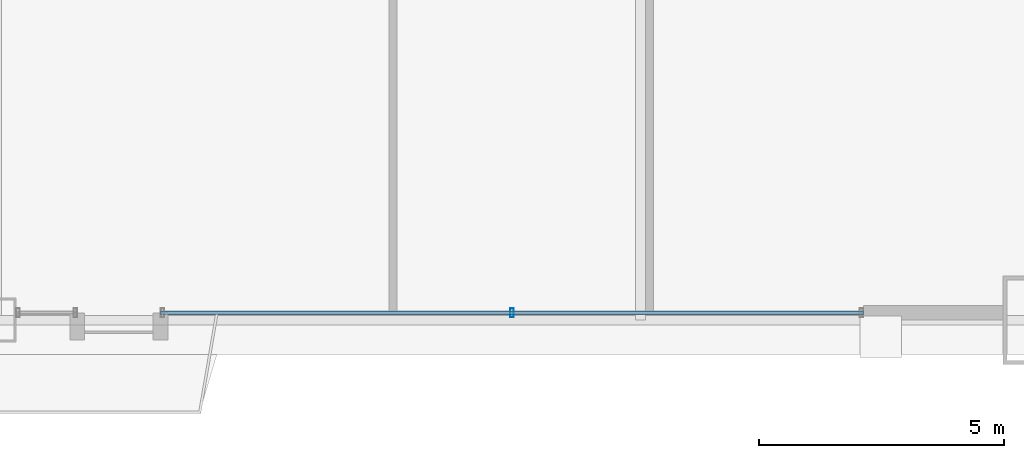
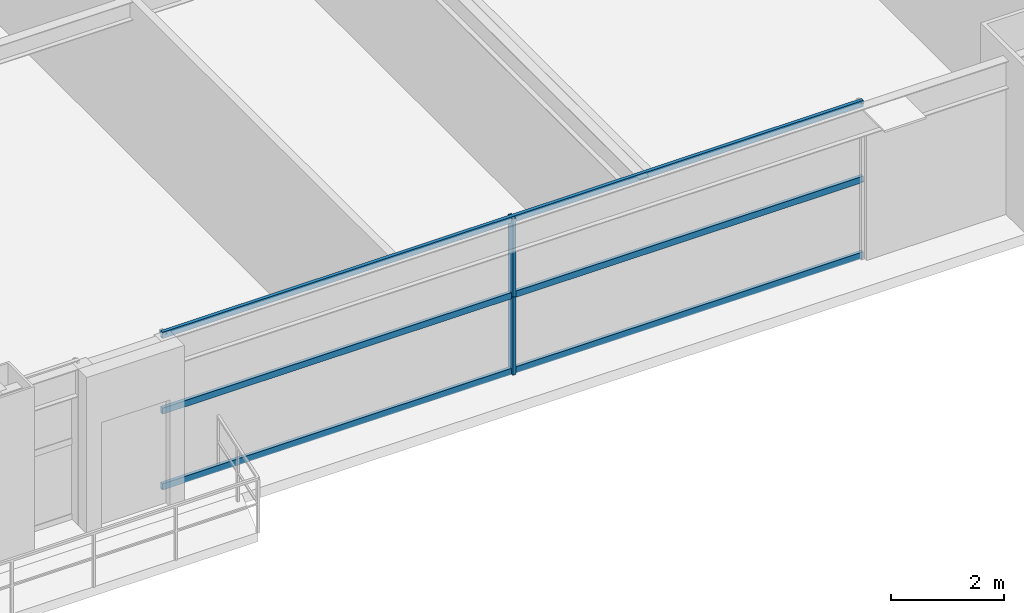
# One storey, part 15 of 46: 5 members, 1 element without a shape of its own.
"""IFC4 building model written with IfcOpenShell, lengths in metres."""

from ifc_helpers import new_model, si_unit, direction, frame, origin, origin_2d, place, context, subcontext, project, spatial, hollow_rectangle, extrude, source, transform, mapped, material, layer, layer_set, material_profile, profile_set, type_object, element, aggregate, save


model = new_model("IFC4")

# Units and contexts
model_context = context("Model", 3, precision=1e-05, world=origin(), true_north=direction((0.0, 1.0)))
body_context = subcontext(model_context, "Body", "Model", "MODEL_VIEW")
ifc_project = project(units=[si_unit("LENGTHUNIT", "METRE"), si_unit("AREAUNIT", "SQUARE_METRE"), si_unit("VOLUMEUNIT", "CUBIC_METRE"), si_unit("PLANEANGLEUNIT", "RADIAN"), si_unit("MASSUNIT", "GRAM", prefix="KILO"), si_unit("THERMODYNAMICTEMPERATUREUNIT", "KELVIN"), si_unit("POWERUNIT", "WATT")], contexts=[model_context])

# Site, building, storey
site_placement = place(None, origin())
site = spatial("IfcSite", under=ifc_project, at=site_placement, CompositionType="ELEMENT")
building_placement = place(site_placement, origin())
building = spatial("IfcBuilding", under=site, at=building_placement, Name="Yuzanri Waterfront Tower", CompositionType="ELEMENT")
storey_placement = place(building_placement, frame((0.0, 0.0, 56.800048828125)))
storey = spatial("IfcBuildingStorey", under=building, at=storey_placement, Name="L14", CompositionType="ELEMENT", Elevation=56.800048828125)

# Curtain wall, members
ifc_material_1 = material(Name="Anodized Architectural Bronze", Category="metal")
ifc_layer = layer(ifc_material_1, 0.159912109375)
ifc_layer_set = layer_set([ifc_layer], Name="Anodized Architectural Bronze")
curtain_wall_type = type_object("IfcCurtainWallType", Name="Anodized Bronze Hotel Lower-Tier Recessed Unitized Curtain Wall 8100", PredefinedType="NOTDEFINED", material=ifc_layer_set)
curtain_wall_placement = place(storey_placement, origin())
curtain_wall = element("IfcCurtainWall", 1, at=curtain_wall_placement, inside=storey, type_object=curtain_wall_type, Name="L14 Curtain Wall CW-L14-SR2", PredefinedType="NOTDEFINED")
ifc_material_2 = material(Name="Anodized Architectural Bronze", Category="metal")
ifc_material_profile_1 = material_profile(ifc_material_2, hollow_rectangle(XDim=0.070068359375, YDim=0.179931640625, WallThickness=0.00390625, at=origin_2d()), Name="CWM 70x180")
ifc_profile_set_1 = profile_set([ifc_material_profile_1], Name="Anodized Architectural Bronze")
member_type_1 = type_object("IfcMemberType", Name="Anodized Bronze Standard Curtain-Wall Mullion 70x180", PredefinedType="MULLION", material=ifc_profile_set_1)
shared_shape_1 = source(origin(), body_context, "Body", "SweptSolid", [
    extrude(hollow_rectangle(XDim=0.070068359375, YDim=0.179931640625, WallThickness=0.00390625, at=origin_2d()), origin(), (0.0, 0.0, 1.0), 1.68798828125),
])
member_1_placement = place(storey_placement, frame((47.575439453125, 0.85009765625, 0.0), z_axis=(0.0, 0.0, 1.0), x_axis=(1.0, 0.0, 0.0)))
member_1 = element("IfcMember", 2, at=member_1_placement, type_object=member_type_1, Name="CW-L14-SR2 Lower Mullion 01", PredefinedType="MULLION", context=body_context, shape_type="MappedRepresentation", body=[
    mapped(shared_shape_1, transform((0.0, 0.0, 0.0), scale=1.0)),
])
member_2_placement = place(storey_placement, frame((47.575439453125, 0.85009765625, 1.69189453125), z_axis=(0.0, 0.0, 1.0), x_axis=(1.0, 0.0, 0.0)))
member_2 = element("IfcMember", 3, at=member_2_placement, type_object=member_type_1, Name="CW-L14-SR2 Upper Mullion 01", PredefinedType="MULLION", context=body_context, shape_type="MappedRepresentation", body=[
    mapped(shared_shape_1, transform((0.0, 0.0, 0.0), scale=1.0)),
])
ifc_material_3 = material(Name="Anodized Architectural Bronze", Category="metal")
ifc_material_profile_2 = material_profile(ifc_material_3, hollow_rectangle(XDim=0.070068359375, YDim=0.135009765625, WallThickness=0.00341796875, at=origin_2d()), Name="CWT 70x135")
ifc_profile_set_2 = profile_set([ifc_material_profile_2], Name="Anodized Architectural Bronze")
member_type_2 = type_object("IfcMemberType", Name="Anodized Bronze Standard Curtain-Wall Transom 70x135", PredefinedType="USERDEFINED", material=ifc_profile_set_2)
shared_shape_2 = source(origin(), body_context, "Body", "SweptSolid", [
    extrude(hollow_rectangle(XDim=0.070068359375, YDim=0.135009765625, WallThickness=0.00341796875, at=origin_2d()), origin(), (0.0, 0.0, 1.0), 14.34912109375),
])
member_3_placement = place(storey_placement, frame((40.40087890625, 0.85009765625, 0.050048828125), z_axis=(1.0, 0.0, 0.0), x_axis=(0.0, 1.0, 0.0)))
member_3 = element("IfcMember", 4, at=member_3_placement, type_object=member_type_2, Name="CW-L14-SR2 Transom 1", ObjectType="TRANSOM", PredefinedType="USERDEFINED", context=body_context, shape_type="MappedRepresentation", body=[
    mapped(shared_shape_2, transform((0.0, 0.0, 0.0), scale=1.0)),
])
member_4_placement = place(storey_placement, frame((40.40087890625, 0.85009765625, 1.68994140625), z_axis=(1.0, 0.0, 0.0), x_axis=(0.0, 1.0, 0.0)))
member_4 = element("IfcMember", 5, at=member_4_placement, type_object=member_type_2, Name="CW-L14-SR2 Transom 2", ObjectType="TRANSOM", PredefinedType="USERDEFINED", context=body_context, shape_type="MappedRepresentation", body=[
    mapped(shared_shape_2, transform((0.0, 0.0, 0.0), scale=1.0)),
])
member_5_placement = place(storey_placement, frame((40.40087890625, 0.85009765625, 3.329833984375), z_axis=(1.0, 0.0, 0.0), x_axis=(0.0, 1.0, 0.0)))
member_5 = element("IfcMember", 6, at=member_5_placement, type_object=member_type_2, Name="CW-L14-SR2 Transom 3", ObjectType="TRANSOM", PredefinedType="USERDEFINED", context=body_context, shape_type="MappedRepresentation", body=[
    mapped(shared_shape_2, transform((0.0, 0.0, 0.0), scale=1.0)),
])
aggregate(curtain_wall, [member_1, member_2, member_3, member_4, member_5])

save(model, "model.ifc")
